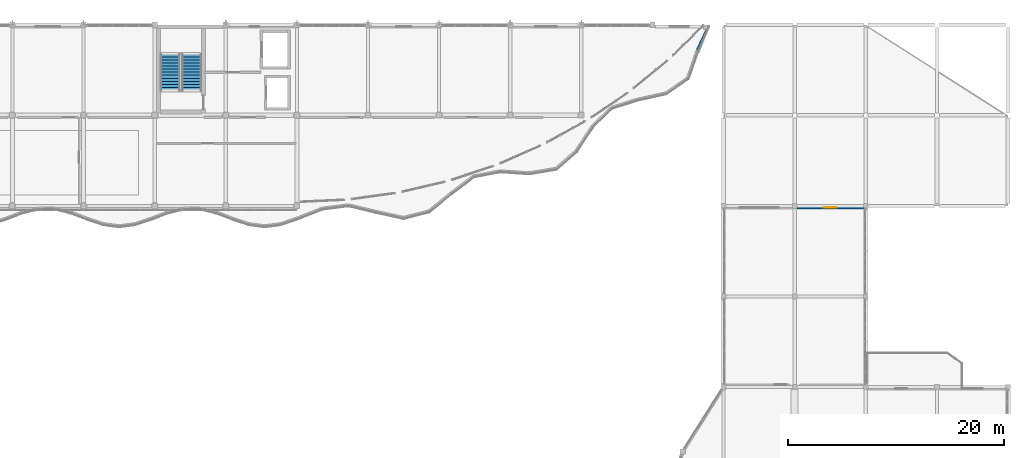
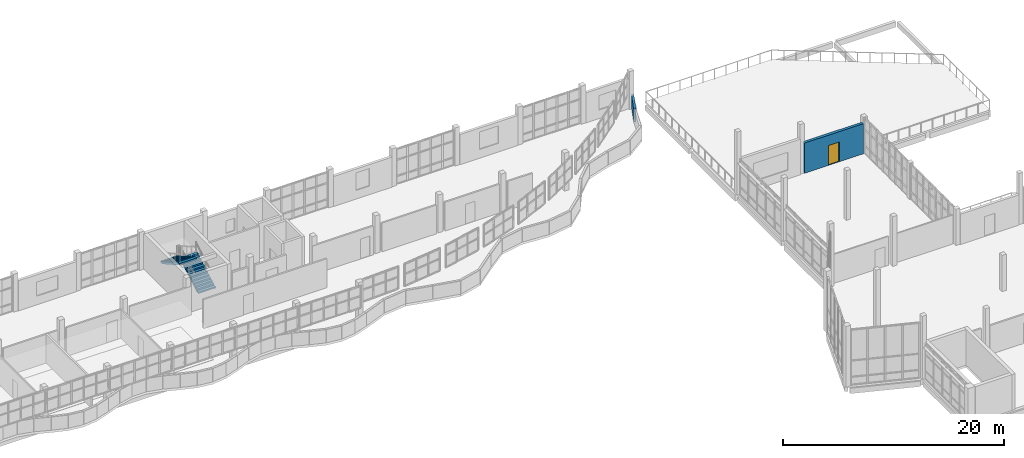
# One storey, part 64 of 78: 2 stair flights, 2 walls, 1 door, 1 opening, 1 element without a shape of its own.
"""IFC4 building model written with IfcOpenShell, lengths in metres."""

from ifc_helpers import new_model, si_unit, direction, frame, frame_2d, origin, place, context, subcontext, project, spatial, polyline, rectangle, outline, extrude, material, layer, layer_set, type_object, element, fill, aggregate, save


model = new_model("IFC4")

# Units and contexts
model_context = context("Model", 3, precision=1e-05, world=origin(), true_north=direction((0.0, 1.0)))
body_context = subcontext(model_context, "Body", "Model", "MODEL_VIEW")
ifc_project = project(units=[si_unit("LENGTHUNIT", "METRE"), si_unit("AREAUNIT", "SQUARE_METRE"), si_unit("VOLUMEUNIT", "CUBIC_METRE"), si_unit("PLANEANGLEUNIT", "RADIAN"), si_unit("MASSUNIT", "GRAM", prefix="KILO")], contexts=[model_context])

# Site, building, storey
site_placement = place(None, origin())
site = spatial("IfcSite", under=ifc_project, at=site_placement, CompositionType="ELEMENT")
building_placement = place(site_placement, origin())
building = spatial("IfcBuilding", under=site, at=building_placement, Name="Qaldarim Faculty of Natural and Applied Sciences", CompositionType="ELEMENT")
storey_placement = place(building_placement, frame((0.0, 0.0, 18.60009765625)))
storey = spatial("IfcBuildingStorey", under=building, at=storey_placement, Name="L04", CompositionType="ELEMENT", Elevation=18.60009765625)

# Wall, opening, door
ifc_material_1 = material(Name="Precast concrete C40/50", Category="concrete")
ifc_layer_1 = layer(ifc_material_1, 0.280029296875)
ifc_layer_set_1 = layer_set([ifc_layer_1], Name="Precast concrete C40/50")
wall_type_1 = type_object("IfcWallType", Name="ExteriorSpandrelWall-280", PredefinedType="SOLIDWALL", material=ifc_layer_set_1)
wall_1_placement = place(storey_placement, frame((164.780029296875, 100.659912109375, 0.0), z_axis=(0.0, 0.0, 1.0), x_axis=(-1.0, 0.0, 0.0)))
wall_1 = element("IfcWall", 1, at=wall_1_placement, inside=storey, type_object=wall_type_1, Name="Exterior wall EW02 L04 N X25Y12", PredefinedType="SOLIDWALL", context=body_context, shape_type="SweptSolid", body=[
    extrude(rectangle(XDim=6.159912109375, YDim=0.280029296875, at=frame_2d((3.080078125, 0.0))), origin(), (0.0, 0.0, 1.0), 3.344970703125),
])
opening_placement = place(wall_1_placement, frame((2.530029296875, 0.0, 0.0)))
opening = element("IfcOpeningElement", 2, at=opening_placement, cuts=wall_1, Name="Opening ED03", PredefinedType="OPENING", context=body_context, shape_type="SweptSolid", body=[
    extrude(rectangle(XDim=1.10009765625, YDim=2.199951171875, at=frame_2d((0.550048828125, 1.10009765625))), frame((0.0, 0.14990234375, 0.0), z_axis=(0.0, -1.0, 0.0), x_axis=(1.0, 0.0, 0.0)), (0.0, 0.0, 1.0), 0.300048828125),
])
ifc_material_2 = material(Name="Anodised aluminium AW-6063", Category="aluminium")
door_type = type_object("IfcDoorType", Name="TerraceAccessDoor-1100x2200", OperationType="NOTDEFINED", PredefinedType="DOOR", material=ifc_material_2)
door_placement = place(opening_placement, frame((1.10009765625, 0.0, 0.0), z_axis=(0.0, 0.0, 1.0), x_axis=(-1.0, 0.0, 0.0)))
door = element("IfcDoor", 3, at=door_placement, inside=storey, type_object=door_type, Name="Terrace access door D-L04-026", OperationType="SINGLE_SWING_RIGHT", OverallHeight=2.199951171875, OverallWidth=1.10009765625, PredefinedType="DOOR", context=body_context, shape_type="SweptSolid", body=[
    extrude(rectangle(XDim=1.10009765625, YDim=2.199951171875, at=frame_2d((0.550048828125, 1.10009765625))), frame((0.0, 0.02490234375, 0.0), z_axis=(0.0, -1.0, 0.0), x_axis=(1.0, 0.0, 0.0)), (0.0, 0.0, 1.0), 0.050048828125),
])
fill(opening, door)

# Wall
ifc_material_3 = material(Name="White architectural precast concrete C40/50", Category="concrete")
ifc_layer_2 = layer(ifc_material_3, 0.219970703125)
ifc_layer_set_2 = layer_set([ifc_layer_2], Name="White architectural precast concrete C40/50")
wall_type_2 = type_object("IfcWallType", Name="WhitePrecastWaveBand-220", PredefinedType="SOLIDWALL", material=ifc_layer_set_2)
wall_2_placement = place(storey_placement, frame((149.364990234375, 115.25, 0.0), z_axis=(0.0, 0.0, 1.0), x_axis=(0.422862396533, 0.906193905077, 0.0)))
element("IfcWall", 4, at=wall_2_placement, inside=storey, type_object=wall_type_2, Name="White precast wave spandrel band L04 chord 62", PredefinedType="SOLIDWALL", context=body_context, shape_type="SweptSolid", body=[
    extrude(rectangle(XDim=2.3173828125, YDim=0.219970703125, at=frame_2d((1.15869140625, 0.0))), origin(), (0.0, 0.0, 1.0), 1.449951171875),
])

# Stair, stair flights
ifc_material_4 = material(Name="Concrete C40/50", Category="concrete")
stair_type = type_object("IfcStairType", Name="DoglegStair-W1800-H4200-26R", PredefinedType="HALF_TURN_STAIR", material=ifc_material_4)
stair_placement = place(storey_placement, origin())
stair = element("IfcStair", 5, at=stair_placement, inside=storey, type_object=stair_type, Name="Enclosed exit stair ST-B1 L04", PredefinedType="HALF_TURN_STAIR")
stair_flight_type = type_object("IfcStairFlightType", Name="StairFlight-W1800-13R", PredefinedType="STRAIGHT", material=ifc_material_4)
stair_flight_1_placement = place(storey_placement, frame((102.449951171875, 111.5, 0.0), z_axis=(0.0, 0.0, 1.0), x_axis=(0.0, 1.0, 0.0)))
stair_flight_1 = element("IfcStairFlight", 6, at=stair_flight_1_placement, type_object=stair_flight_type, Name="ST-B1 L04 flight 1", NumberOfRisers=13, NumberOfTreads=12, PredefinedType="STRAIGHT", RiserHeight=0.161538462, TreadLength=0.285, context=body_context, shape_type="SweptSolid", body=[
    extrude(outline(polyline([(0.0, 0.0), (0.0, 0.16162109375), (0.284912109375, 0.16162109375), (0.284912109375, 0.322998046875), (0.570068359375, 0.322998046875), (0.570068359375, 0.484619140625), (0.85498046875, 0.484619140625), (0.85498046875, 0.646240234375), (1.139892578125, 0.646240234375), (1.139892578125, 0.8076171875), (1.425048828125, 0.8076171875), (1.425048828125, 0.96923828125), (1.7099609375, 0.96923828125), (1.7099609375, 1.130859375), (1.9951171875, 1.130859375), (1.9951171875, 1.292236328125), (2.280029296875, 1.292236328125), (2.280029296875, 1.453857421875), (2.56494140625, 1.453857421875), (2.56494140625, 1.615478515625), (2.85009765625, 1.615478515625), (2.85009765625, 1.77685546875), (3.135009765625, 1.77685546875), (3.135009765625, 1.9384765625), (3.419921875, 1.9384765625), (3.419921875, 2.10009765625), (3.419921875, 1.76611328125), (0.303955078125, 0.0), (0.0, 0.0)])), frame((0.0, 0.89990234375, 0.0), z_axis=(0.0, -1.0, 0.0), x_axis=(1.0, 0.0, 0.0)), (0.0, 0.0, 1.0), 1.800048828125),
])
stair_flight_2_placement = place(storey_placement, frame((100.449951171875, 114.919921875, 2.099853515625), z_axis=(0.0, 0.0, 1.0), x_axis=(0.0, -1.0, 0.0)))
stair_flight_2 = element("IfcStairFlight", 7, at=stair_flight_2_placement, type_object=stair_flight_type, Name="ST-B1 L04 flight 2", NumberOfRisers=13, NumberOfTreads=12, PredefinedType="STRAIGHT", RiserHeight=0.161538462, TreadLength=0.285, context=body_context, shape_type="SweptSolid", body=[
    extrude(outline(polyline([(0.0, 0.0), (0.0, 0.16162109375), (0.284912109375, 0.16162109375), (0.284912109375, 0.322998046875), (0.570068359375, 0.322998046875), (0.570068359375, 0.484619140625), (0.85498046875, 0.484619140625), (0.85498046875, 0.646240234375), (1.139892578125, 0.646240234375), (1.139892578125, 0.8076171875), (1.425048828125, 0.8076171875), (1.425048828125, 0.96923828125), (1.7099609375, 0.96923828125), (1.7099609375, 1.130859375), (1.9951171875, 1.130859375), (1.9951171875, 1.292236328125), (2.280029296875, 1.292236328125), (2.280029296875, 1.453857421875), (2.56494140625, 1.453857421875), (2.56494140625, 1.615478515625), (2.85009765625, 1.615478515625), (2.85009765625, 1.77685546875), (3.135009765625, 1.77685546875), (3.135009765625, 1.9384765625), (3.419921875, 1.9384765625), (3.419921875, 2.10009765625), (3.419921875, 1.76611328125), (0.303955078125, 0.0), (0.0, 0.0)])), frame((0.0, 0.89990234375, 0.0), z_axis=(0.0, -1.0, 0.0), x_axis=(1.0, 0.0, 0.0)), (0.0, 0.0, 1.0), 1.800048828125),
])
aggregate(stair, [stair_flight_1, stair_flight_2])

save(model, "model.ifc")
